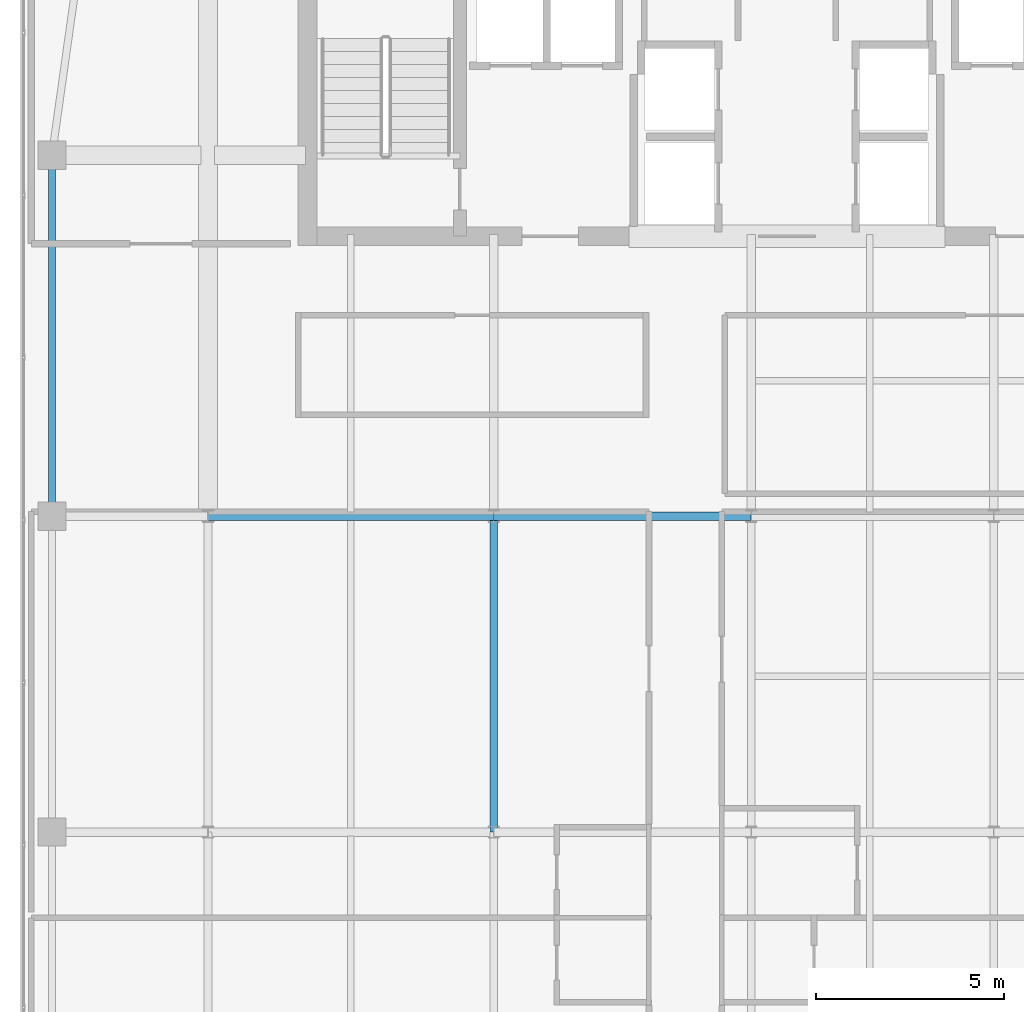
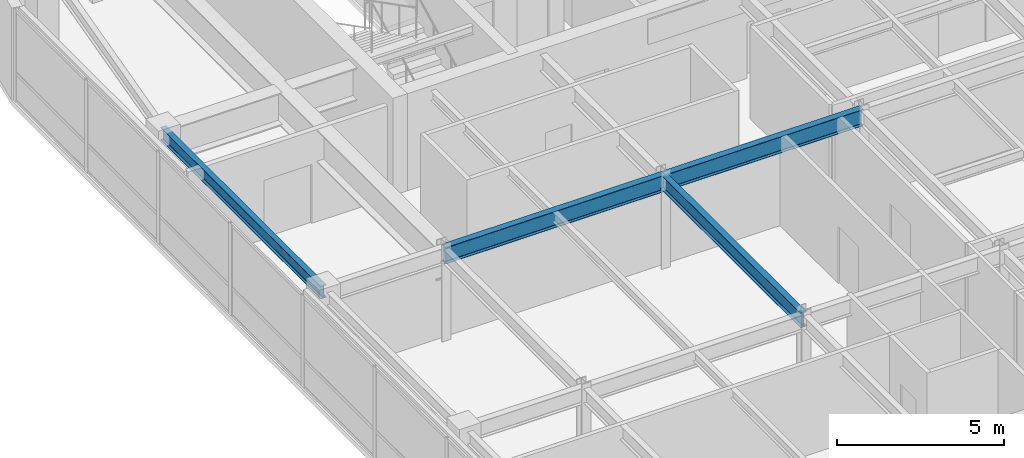
# One storey, part 8 of 21: 4 beams.
"""IFC4 building model written with IfcOpenShell, lengths in metres."""

from ifc_helpers import new_model, si_unit, direction, frame, origin, origin_2d, place, context, subcontext, project, spatial, i_section, extrude, source, transform, mapped, material, material_profile, profile_set, type_object, type_shapes, element, save


model = new_model("IFC4")

# Units and contexts
model_context = context("Model", 3, precision=1e-05, world=origin(), true_north=direction((0.0, 1.0)))
body_context = subcontext(model_context, "Body", "Model", "MODEL_VIEW")
ifc_project = project(units=[si_unit("LENGTHUNIT", "METRE"), si_unit("AREAUNIT", "SQUARE_METRE"), si_unit("VOLUMEUNIT", "CUBIC_METRE"), si_unit("PLANEANGLEUNIT", "RADIAN"), si_unit("MASSUNIT", "GRAM", prefix="KILO")], contexts=[model_context])

# Site, building, storey
site_placement = place(None, origin())
site = spatial("IfcSite", under=ifc_project, at=site_placement, CompositionType="ELEMENT")
building_placement = place(site_placement, origin())
building = spatial("IfcBuilding", under=site, at=building_placement, Name="Tolvann Quenvar Hotel", CompositionType="ELEMENT")
storey_placement = place(building_placement, frame((0.0, 0.0, 227.449951171875)))
storey = spatial("IfcBuildingStorey", under=building, at=storey_placement, Name="L60", CompositionType="ELEMENT", Elevation=227.449951171875)

# Beams
ifc_material = material(Name="Steel Grade 350", Category="steel")
ifc_material_profile_1 = material_profile(ifc_material, i_section(OverallWidth=0.208984375, OverallDepth=0.532958984375, WebThickness=0.01025390625, FlangeThickness=0.015625, FilletRadius=0.013916015625, at=origin_2d()), Name="530UB92")
ifc_profile_set_1 = profile_set([ifc_material_profile_1], Name="Steel Grade 350")
beam_type_1 = type_object("IfcBeamType", Name="BM_GIRD_530UB92", PredefinedType="BEAM", material=ifc_profile_set_1)
shared_shape_1 = source(origin(), body_context, "Body", "SweptSolid", [
    extrude(i_section(OverallWidth=0.208984375, OverallDepth=0.532958984375, WebThickness=0.01025390625, FlangeThickness=0.015625, FilletRadius=0.013916015625, at=origin_2d()), origin(), (0.0, 0.0, 1.0), 8.39990234375),
])
type_shapes(beam_type_1, [shared_shape_1])
beam_1_placement = place(storey_placement, frame((15.199951171875, 16.0, 3.103515625), z_axis=(0.0, 1.0, 0.0), x_axis=(-1.0, 0.0, 0.0)))
element("IfcBeam", 1, at=beam_1_placement, inside=storey, type_object=beam_type_1, Name="BM-L60-NS-D4-D5", PredefinedType="BEAM", context=body_context, shape_type="MappedRepresentation", body=[
    mapped(shared_shape_1, transform((0.0, 0.0, 0.0), x_axis=(1.0, 0.0, 0.0), y_axis=(0.0, 1.0, 0.0), z_axis=(0.0, 0.0, 1.0), scale=1.0)),
])
ifc_material_profile_2 = material_profile(ifc_material, i_section(OverallWidth=0.22802734375, OverallDepth=0.60205078125, WebThickness=0.010498046875, FlangeThickness=0.014892578125, FilletRadius=0.013916015625, at=origin_2d()), Name="610UB101")
ifc_profile_set_2 = profile_set([ifc_material_profile_2], Name="Steel Grade 350")
beam_type_2 = type_object("IfcBeamType", Name="BM_GIRD_610UB101", PredefinedType="BEAM", material=ifc_profile_set_2)
shared_shape_2 = source(origin(), body_context, "Body", "SweptSolid", [
    extrude(i_section(OverallWidth=0.22802734375, OverallDepth=0.60205078125, WebThickness=0.010498046875, FlangeThickness=0.014892578125, FilletRadius=0.013916015625, at=origin_2d()), origin(), (0.0, 0.0, 1.0), 7.599853515625),
])
beam_2_placement = place(storey_placement, frame((7.60009765625, 24.39990234375, 3.069091796875), z_axis=(1.0, 0.0, 0.0), x_axis=(0.0, 1.0, 0.0)))
element("IfcBeam", 2, at=beam_2_placement, inside=storey, type_object=beam_type_2, Name="BM-L60-EW-5-C5-D5", PredefinedType="BEAM", context=body_context, shape_type="MappedRepresentation", body=[
    mapped(shared_shape_2, transform((0.0, 0.0, 0.0), x_axis=(1.0, 0.0, 0.0), y_axis=(0.0, 1.0, 0.0), z_axis=(0.0, 0.0, 1.0), scale=1.0)),
])
shared_shape_3 = source(origin(), body_context, "Body", "SweptSolid", [
    extrude(i_section(OverallWidth=0.22802734375, OverallDepth=0.60205078125, WebThickness=0.010498046875, FlangeThickness=0.014892578125, FilletRadius=0.013916015625, at=origin_2d()), origin(), (0.0, 0.0, 1.0), 6.85009765625),
])
type_shapes(beam_type_2, [shared_shape_2, shared_shape_3])
beam_3_placement = place(storey_placement, frame((15.199951171875, 24.39990234375, 3.069091796875), z_axis=(1.0, 0.0, 0.0), x_axis=(0.0, 1.0, 0.0)))
element("IfcBeam", 3, at=beam_3_placement, inside=storey, type_object=beam_type_2, Name="BM-L60-EW-5-D5-E5", PredefinedType="BEAM", context=body_context, shape_type="MappedRepresentation", body=[
    mapped(shared_shape_3, transform((0.0, 0.0, 0.0), x_axis=(1.0, 0.0, 0.0), y_axis=(0.0, 1.0, 0.0), z_axis=(0.0, 0.0, 1.0), scale=1.0)),
])
ifc_material_profile_3 = material_profile(ifc_material, i_section(OverallWidth=0.19091796875, OverallDepth=0.4599609375, WebThickness=0.010009765625, FlangeThickness=0.01611328125, FilletRadius=0.011474609375, at=origin_2d()), Name="460UB82")
ifc_profile_set_3 = profile_set([ifc_material_profile_3], Name="Steel Grade 350")
beam_type_3 = type_object("IfcBeamType", Name="BM_SPAND_460UB82", PredefinedType="SPANDREL", material=ifc_profile_set_3)
shared_shape_4 = source(origin(), body_context, "Body", "SweptSolid", [
    extrude(i_section(OverallWidth=0.19091796875, OverallDepth=0.4599609375, WebThickness=0.010009765625, FlangeThickness=0.01611328125, FilletRadius=0.011474609375, at=origin_2d()), origin(), (0.0, 0.0, 1.0), 9.60009765625),
])
type_shapes(beam_type_3, [shared_shape_4])
beam_4_placement = place(storey_placement, frame((3.449951171875, 24.39990234375, 3.14013671875), z_axis=(0.0, 1.0, 0.0), x_axis=(-1.0, 0.0, 0.0)))
element("IfcBeam", 4, at=beam_4_placement, inside=storey, type_object=beam_type_3, Name="BM-L60-FLK-W1", PredefinedType="SPANDREL", context=body_context, shape_type="MappedRepresentation", body=[
    mapped(shared_shape_4, transform((0.0, 0.0, 0.0), x_axis=(1.0, 0.0, 0.0), y_axis=(0.0, 1.0, 0.0), z_axis=(0.0, 0.0, 1.0), scale=1.0)),
])

save(model, "model.ifc")
